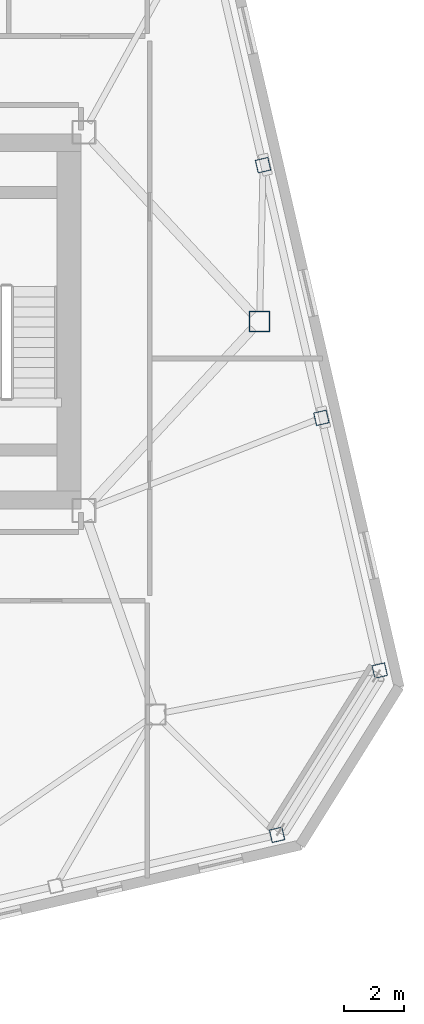
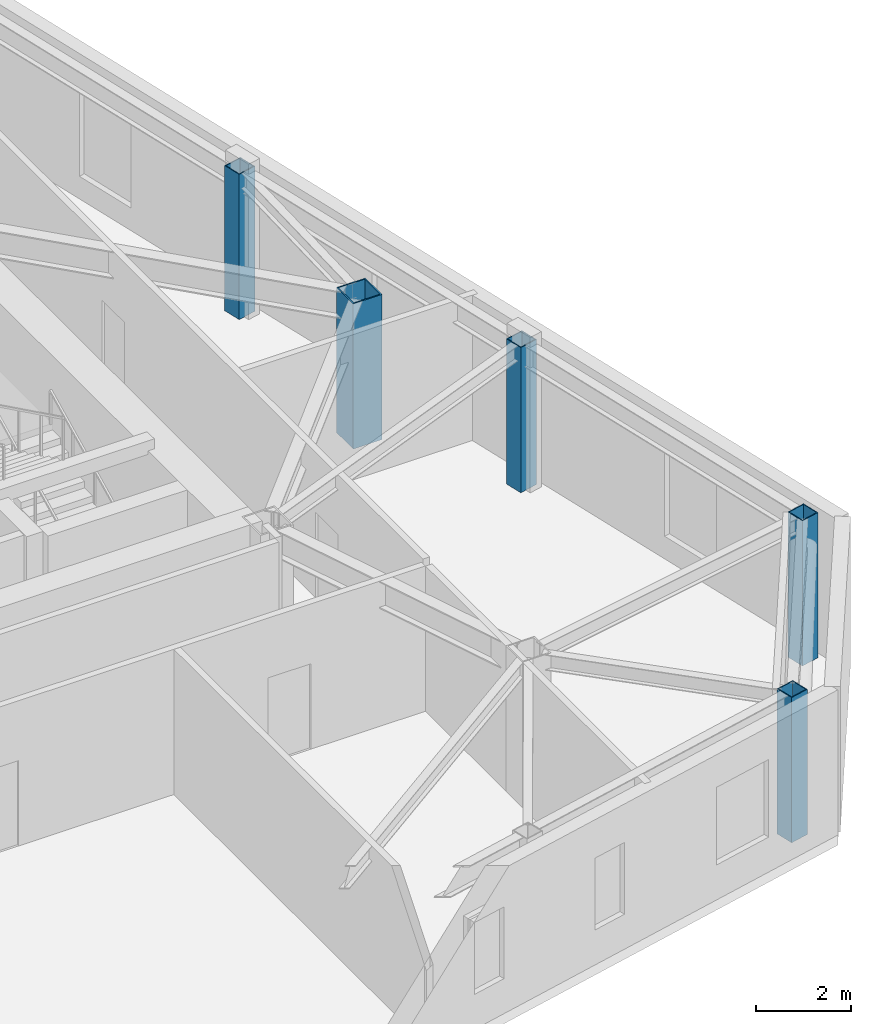
# One storey, part 4 of 21: 5 columns.
"""IFC4 building model written with IfcOpenShell, lengths in metres."""

from ifc_helpers import new_model, si_unit, direction, frame, origin, origin_2d, place, context, subcontext, project, spatial, hollow_rectangle, extrude, material, material_profile, profile_set, type_object, element, save


model = new_model("IFC4")

# Units and contexts
model_context = context("Model", 3, precision=1e-05, world=origin(), true_north=direction((0.0, 1.0)))
body_context = subcontext(model_context, "Body", "Model", "MODEL_VIEW")
ifc_project = project(units=[si_unit("LENGTHUNIT", "METRE"), si_unit("AREAUNIT", "SQUARE_METRE"), si_unit("VOLUMEUNIT", "CUBIC_METRE"), si_unit("PLANEANGLEUNIT", "RADIAN"), si_unit("MASSUNIT", "GRAM", prefix="KILO")], contexts=[model_context])

# Site, building, storey
site_placement = place(None, origin())
site = spatial("IfcSite", under=ifc_project, at=site_placement, CompositionType="ELEMENT")
building_placement = place(site_placement, origin())
building = spatial("IfcBuilding", under=site, at=building_placement, Name="Tavrogorsk Clinical Tower", CompositionType="ELEMENT")
storey_placement = place(building_placement, frame((0.0, 0.0, 285.0)))
storey = spatial("IfcBuildingStorey", under=building, at=storey_placement, Name="L66", CompositionType="ELEMENT", Elevation=285.0)

# Columns
ifc_material_1 = material(Name="Structural steel S440", Category="steel")
ifc_material_profile_1 = material_profile(ifc_material_1, hollow_rectangle(XDim=0.699951171875, YDim=0.699951171875, WallThickness=0.031982421875, at=origin_2d()), Name="BOX-700x700x32")
ifc_profile_set_1 = profile_set([ifc_material_profile_1], Name="Structural steel S440")
column_type_1 = type_object("IfcColumnType", Name="MegaCol_BOX700", PredefinedType="COLUMN", material=ifc_profile_set_1)
column_placement = place(storey_placement, frame((28.0, 0.0, 0.0), z_axis=(0.0, 0.0, 1.0), x_axis=(1.0, 0.0, 0.0)))
element("IfcColumn", 1, at=column_placement, inside=storey, type_object=column_type_1, Name="L66 Spine Pilotis Column MC-P6", PredefinedType="COLUMN", context=body_context, shape_type="SweptSolid", body=[
    extrude(hollow_rectangle(XDim=0.699951171875, YDim=0.699951171875, WallThickness=0.031982421875, at=origin_2d()), origin(), (0.0, 0.0, 1.0), 3.739990234375),
])
ifc_material_2 = material(Name="Structural steel S440", Category="steel")
ifc_material_profile_2 = material_profile(ifc_material_2, hollow_rectangle(XDim=0.449951171875, YDim=0.449951171875, WallThickness=0.02197265625, at=origin_2d()), Name="BOX-450x450x22")
ifc_profile_set_2 = profile_set([ifc_material_profile_2], Name="Structural steel S440")
column_type_2 = type_object("IfcColumnType", Name="PerimCol_B5_BOX450", PredefinedType="COLUMN", material=ifc_profile_set_2)
for number, where, z_axis, x_axis, name in (
    (2, (28.588623046875, -17.244873046875, 0.0), (0.0, 0.0, 1.0), (0.974370064785, 0.224951054344, 0.0), "L66 Perimeter Column S8"),
    (3, (32.035888671875, -11.72802734375, 0.0), (0.0, 0.0, 1.0), (0.974370064785, 0.224951054344, 0.0), "L66 Perimeter Column E1"),
    (4, (30.07666015625, -3.2412109375, 0.0), (0.0, 0.0, 1.0), (0.974370064785, 0.224951054344, 0.0), "L66 Perimeter Column E2"),
    (5, (28.1171875, 5.24560546875, 0.0), (0.0, 0.0, 1.0), (0.974370064785, 0.224951054344, 0.0), "L66 Perimeter Column E3"),
):
    element("IfcColumn", number, at=place(storey_placement, frame(where, z_axis=z_axis, x_axis=x_axis)), inside=storey, type_object=column_type_2, Name=name, PredefinedType="COLUMN", context=body_context, shape_type="SweptSolid", body=[
        extrude(hollow_rectangle(XDim=0.449951171875, YDim=0.449951171875, WallThickness=0.02197265625, at=origin_2d()), origin(), (0.0, 0.0, 1.0), 3.739990234375),
    ])

save(model, "model.ifc")
